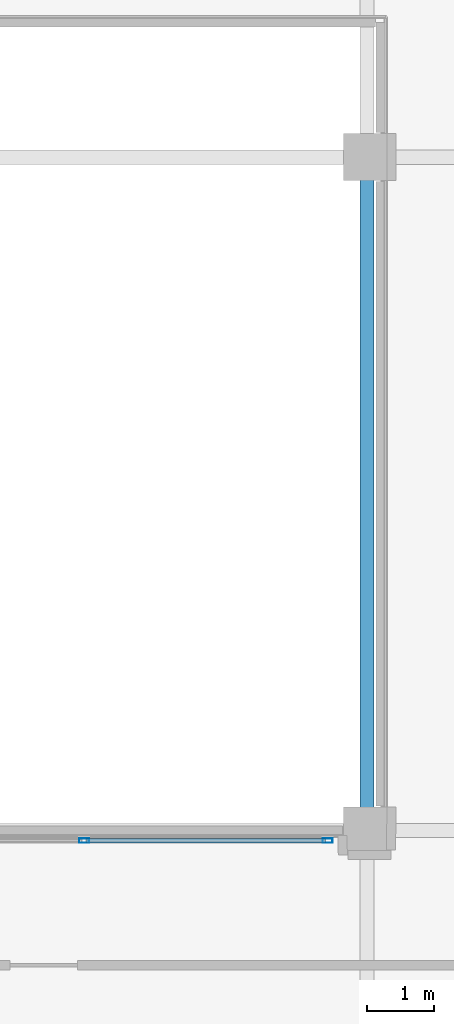
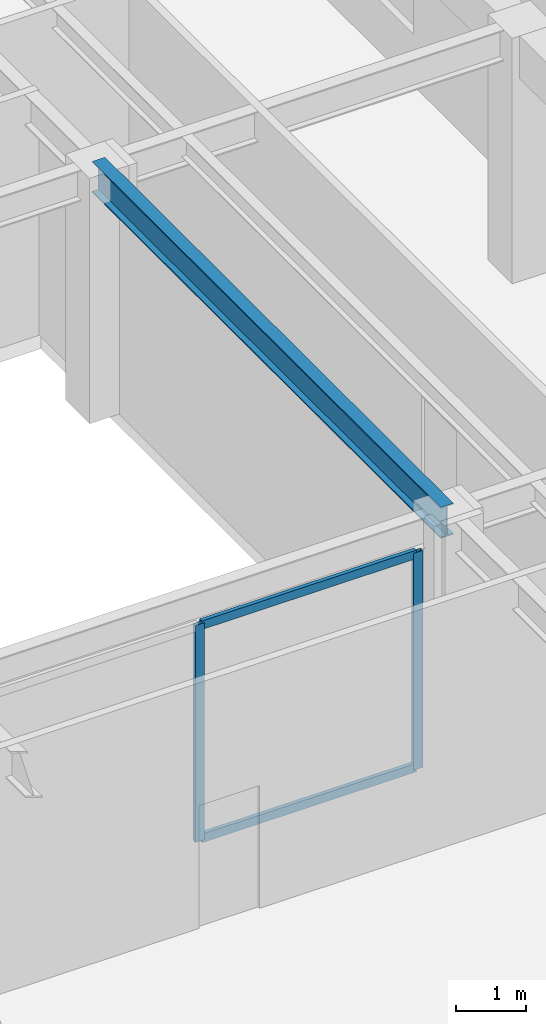
# One storey, part 14 of 24: 4 members, 1 beam, 1 element without a shape of its own.
"""IFC4 building model written with IfcOpenShell, lengths in metres."""

from ifc_helpers import new_model, si_unit, direction, frame, origin, origin_2d, place, context, subcontext, project, spatial, hollow_rectangle, i_section, extrude, source, transform, mapped, material, layer, layer_set, material_profile, profile_set, type_object, type_shapes, element, aggregate, save


model = new_model("IFC4")

# Units and contexts
model_context = context("Model", 3, precision=1e-05, world=origin(), true_north=direction((0.0, 1.0)))
body_context = subcontext(model_context, "Body", "Model", "MODEL_VIEW")
ifc_project = project(units=[si_unit("LENGTHUNIT", "METRE"), si_unit("AREAUNIT", "SQUARE_METRE"), si_unit("VOLUMEUNIT", "CUBIC_METRE"), si_unit("PLANEANGLEUNIT", "RADIAN"), si_unit("MASSUNIT", "GRAM", prefix="KILO")], contexts=[model_context])

# Site, building, storey
site_placement = place(None, origin())
site = spatial("IfcSite", under=ifc_project, at=site_placement, CompositionType="ELEMENT")
building_placement = place(site_placement, origin())
building = spatial("IfcBuilding", under=site, at=building_placement, Name="Talar Marvaseh", CompositionType="ELEMENT")
storey_placement = place(building_placement, frame((0.0, 0.0, 9.800048828125)))
storey = spatial("IfcBuildingStorey", under=building, at=storey_placement, Name="L02", CompositionType="ELEMENT", Elevation=9.800048828125)

# Beam
ifc_material_1 = material(Name="Steel S355", Category="steel")
ifc_material_profile_1 = material_profile(ifc_material_1, i_section(OverallWidth=0.2119140625, OverallDepth=0.5439453125, WebThickness=0.01318359375, FlangeThickness=0.021240234375, at=origin_2d()), Name="W530x123")
ifc_profile_set_1 = profile_set([ifc_material_profile_1], Name="Steel S355")
beam_type = type_object("IfcBeamType", Name="Market Hall Primary Girder W530x123", PredefinedType="BEAM", material=ifc_profile_set_1)
beam_placement = place(storey_placement, frame((70.800048828125, 26.0, 4.02783203125), z_axis=(0.0, 1.0, 0.0), x_axis=(-1.0, 0.0, 0.0)))
element("IfcBeam", 1, at=beam_placement, inside=storey, type_object=beam_type, Name="L02 Market Hall Primary Girder W530x123", PredefinedType="BEAM", context=body_context, shape_type="SweptSolid", body=[
    extrude(i_section(OverallWidth=0.2119140625, OverallDepth=0.5439453125, WebThickness=0.01318359375, FlangeThickness=0.021240234375, at=origin_2d()), origin(), (0.0, 0.0, 1.0), 10.0),
])

# Curtain wall, members
ifc_material_2 = material(Name="Architectural Aluminium", Category="aluminium")
ifc_layer = layer(ifc_material_2, 0.169921875)
ifc_layer_set = layer_set([ifc_layer], Name="Architectural Aluminium")
curtain_wall_type = type_object("IfcCurtainWallType", Name="Market Hall Clerestory and Courtyard Curtain Wall", PredefinedType="NOTDEFINED", material=ifc_layer_set)
curtain_wall_placement = place(storey_placement, origin())
curtain_wall = element("IfcCurtainWall", 2, at=curtain_wall_placement, inside=storey, type_object=curtain_wall_type, Name="L02 Market Hall Clerestory and Courtyard Curtain Wall", PredefinedType="NOTDEFINED")
ifc_material_profile_2 = material_profile(ifc_material_2, hollow_rectangle(XDim=0.06494140625, YDim=0.14990234375, WallThickness=0.00390625, at=origin_2d()), Name="RHS150x65x4")
ifc_profile_set_2 = profile_set([ifc_material_profile_2], Name="Architectural Aluminium")
member_type_1 = type_object("IfcMemberType", Name="Unitised Curtain Wall Slim Mullion RHS150x65x4", PredefinedType="MULLION", material=ifc_profile_set_2)
shared_shape_1 = source(origin(), body_context, "Body", "SweptSolid", [
    extrude(hollow_rectangle(XDim=0.06494140625, YDim=0.14990234375, WallThickness=0.00390625, at=origin_2d()), origin(), (0.0, 0.0, 1.0), 3.800048828125),
])
type_shapes(member_type_1, [shared_shape_1])
member_1_placement = place(storey_placement, frame((66.60009765625, 25.85009765625, 0.0), z_axis=(0.0, 0.0, 1.0), x_axis=(0.0, 1.0, 0.0)))
member_1 = element("IfcMember", 3, at=member_1_placement, type_object=member_type_1, Name="CW-MKT mullion 2", PredefinedType="MULLION", context=body_context, shape_type="MappedRepresentation", body=[
    mapped(shared_shape_1, transform((0.0, 0.0, 0.0), x_axis=(1.0, 0.0, 0.0), y_axis=(0.0, 1.0, 0.0), z_axis=(0.0, 0.0, 1.0), scale=1.0)),
])
member_2_placement = place(storey_placement, frame((70.217529296875, 25.85009765625, 0.0), z_axis=(0.0, 0.0, 1.0), x_axis=(0.0, 1.0, 0.0)))
member_2 = element("IfcMember", 4, at=member_2_placement, type_object=member_type_1, Name="CW-MKT mullion 3", PredefinedType="MULLION", context=body_context, shape_type="MappedRepresentation", body=[
    mapped(shared_shape_1, transform((0.0, 0.0, 0.0), x_axis=(1.0, 0.0, 0.0), y_axis=(0.0, 1.0, 0.0), z_axis=(0.0, 0.0, 1.0), scale=1.0)),
])
ifc_material_profile_3 = material_profile(ifc_material_2, hollow_rectangle(XDim=0.06494140625, YDim=0.14990234375, WallThickness=0.00390625, at=origin_2d()), Name="RHS150x65x4")
ifc_profile_set_3 = profile_set([ifc_material_profile_3], Name="Architectural Aluminium")
member_type_2 = type_object("IfcMemberType", Name="Unitised Curtain Wall Slim Transom RHS150x65x4", PredefinedType="USERDEFINED", material=ifc_profile_set_3)
shared_shape_2 = source(origin(), body_context, "Body", "SweptSolid", [
    extrude(hollow_rectangle(XDim=0.06494140625, YDim=0.14990234375, WallThickness=0.00390625, at=origin_2d()), origin(), (0.0, 0.0, 1.0), 3.552490234375),
])
type_shapes(member_type_2, [shared_shape_2])
member_3_placement = place(storey_placement, frame((66.632568359375, 25.85009765625, 0.032470703125), z_axis=(1.0, 0.0, 0.0), x_axis=(0.0, 1.0, 0.0)))
member_3 = element("IfcMember", 5, at=member_3_placement, type_object=member_type_2, Name="CW-MKT transom 2.1", ObjectType="TRANSOM", PredefinedType="USERDEFINED", context=body_context, shape_type="MappedRepresentation", body=[
    mapped(shared_shape_2, transform((0.0, 0.0, 0.0), x_axis=(1.0, 0.0, 0.0), y_axis=(0.0, 1.0, 0.0), z_axis=(0.0, 0.0, 1.0), scale=1.0)),
])
member_4_placement = place(storey_placement, frame((66.632568359375, 25.85009765625, 3.767333984375), z_axis=(1.0, 0.0, 0.0), x_axis=(0.0, 1.0, 0.0)))
member_4 = element("IfcMember", 6, at=member_4_placement, type_object=member_type_2, Name="CW-MKT transom 2.2", ObjectType="TRANSOM", PredefinedType="USERDEFINED", context=body_context, shape_type="MappedRepresentation", body=[
    mapped(shared_shape_2, transform((0.0, 0.0, 0.0), x_axis=(1.0, 0.0, 0.0), y_axis=(0.0, 1.0, 0.0), z_axis=(0.0, 0.0, 1.0), scale=1.0)),
])
aggregate(curtain_wall, [member_1, member_2, member_3, member_4])

save(model, "model.ifc")
